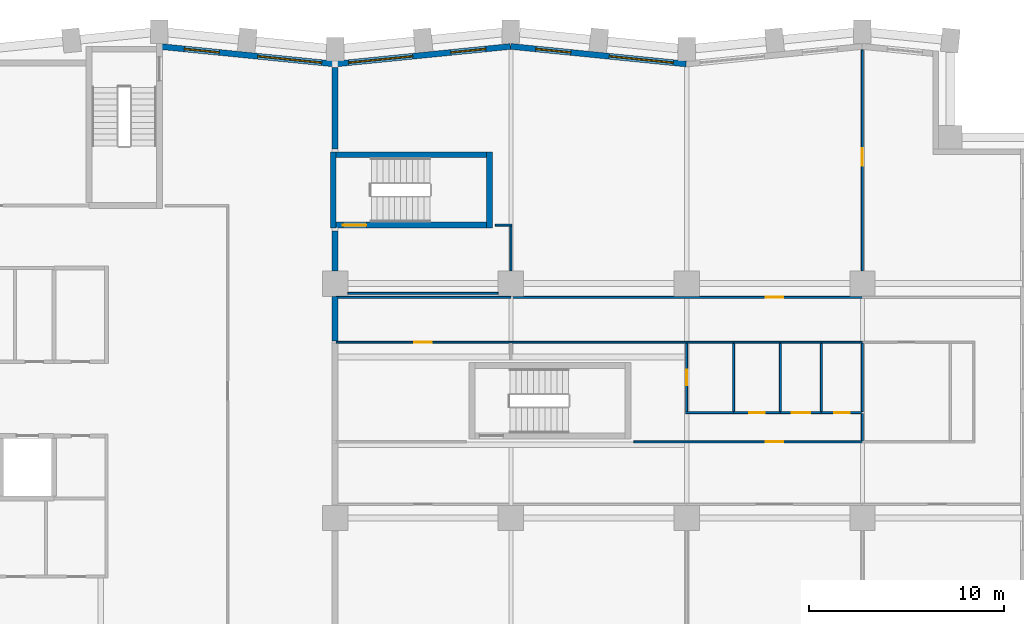
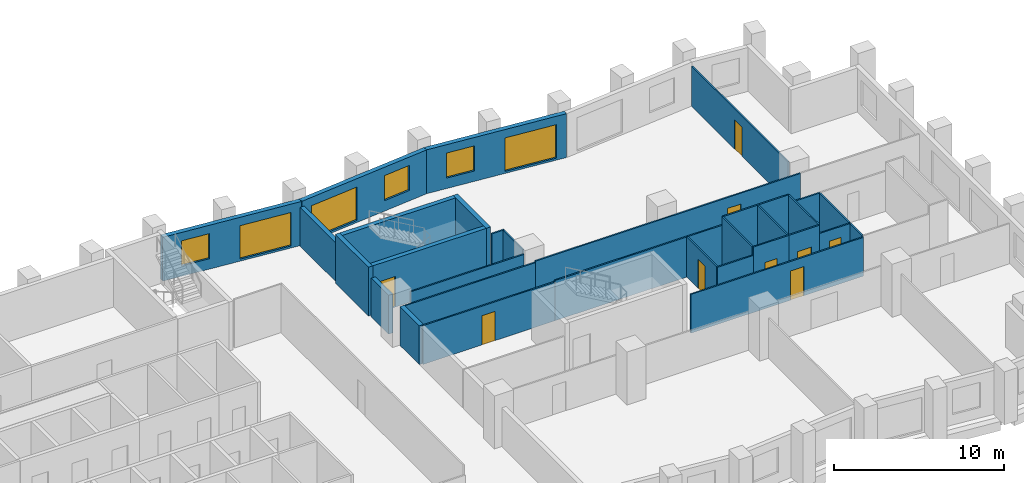
# One storey, part 7 of 11: 33 walls, 9 doors, 6 windows, 15 openings.
"""IFC4 building model written with IfcOpenShell, lengths in metres."""

from ifc_helpers import new_model, si_unit, direction, frame, frame_2d, origin, place, context, subcontext, project, spatial, rectangle, extrude, material, layer, layer_set, type_object, element, fill, save


model = new_model("IFC4")

# Units and contexts
model_context = context("Model", 3, precision=1e-05, world=origin(), true_north=direction((0.0, 1.0)))
body_context = subcontext(model_context, "Body", "Model", "MODEL_VIEW")
ifc_project = project(units=[si_unit("LENGTHUNIT", "METRE"), si_unit("AREAUNIT", "SQUARE_METRE"), si_unit("VOLUMEUNIT", "CUBIC_METRE"), si_unit("PLANEANGLEUNIT", "RADIAN"), si_unit("MASSUNIT", "GRAM", prefix="KILO")], contexts=[model_context])

# Site, building, storey
site_placement = place(None, origin())
site = spatial("IfcSite", under=ifc_project, at=site_placement, CompositionType="ELEMENT")
building_placement = place(site_placement, origin())
building = spatial("IfcBuilding", under=site, at=building_placement, Name="Brondeck Convention Tower", CompositionType="ELEMENT")
storey_placement = place(building_placement, frame((0.0, 0.0, 99.89990234375)))
storey = spatial("IfcBuildingStorey", under=building, at=storey_placement, Name="L23", CompositionType="ELEMENT", Elevation=99.89990234375)

# Walls
ifc_material_1 = material(Name="Concrete compartment wall C30/37", Category="concrete")
ifc_layer_1 = layer(ifc_material_1, 0.300048828125)
ifc_layer_set_1 = layer_set([ifc_layer_1], Name="Compartment wall 300")
wall_type_1 = type_object("IfcWallType", Name="Compartment wall 300", PredefinedType="PARTITIONING", material=ifc_layer_set_1)
wall_1_placement = place(storey_placement, frame((36.0, 48.050048828125, 0.0), z_axis=(0.0, 0.0, 1.0), x_axis=(0.0, 1.0, 0.0)))
element("IfcWall", 1, at=wall_1_placement, inside=storey, type_object=wall_type_1, Name="FLR-L23-W064", PredefinedType="PARTITIONING", context=body_context, shape_type="SweptSolid", body=[
    extrude(rectangle(XDim=2.280029296875, YDim=0.300048828125, at=frame_2d((1.14013671875, 0.0))), origin(), (0.0, 0.0, 1.0), 2.780029296875),
])
wall_2_placement = place(storey_placement, frame((36.0, 51.655029296875, 0.0), z_axis=(0.0, 0.0, 1.0), x_axis=(0.0, 1.0, 0.0)))
element("IfcWall", 2, at=wall_2_placement, inside=storey, type_object=wall_type_1, Name="FLR-L23-W069", PredefinedType="PARTITIONING", context=body_context, shape_type="SweptSolid", body=[
    extrude(rectangle(XDim=2.044921875, YDim=0.300048828125, at=frame_2d((1.0224609375, 0.0))), origin(), (0.0, 0.0, 1.0), 2.780029296875),
])
wall_3_placement = place(storey_placement, frame((36.0, 57.89990234375, 0.0), z_axis=(0.0, 0.0, 1.0), x_axis=(0.0, 1.0, 0.0)))
element("IfcWall", 3, at=wall_3_placement, inside=storey, type_object=wall_type_1, Name="FLR-L23-W074", PredefinedType="PARTITIONING", context=body_context, shape_type="SweptSolid", body=[
    extrude(rectangle(XDim=4.175537109375, YDim=0.300048828125, at=frame_2d((2.087890625, 0.0))), origin(), (0.0, 0.0, 1.0), 2.780029296875),
])

# Wall, openings, windows
ifc_material_2 = material(Name="Precast concrete C50/60 bronze finish", Category="concrete")
ifc_layer_2 = layer(ifc_material_2, 0.070068359375, Name="Bronze precast facing")
ifc_material_3 = material(Name="Mineral wool")
ifc_layer_3 = layer(ifc_material_3, 0.159912109375, Name="Insulation")
ifc_material_4 = material(Name="Concrete C35/45", Category="concrete")
ifc_layer_4 = layer(ifc_material_4, 0.070068359375, Name="Backing")
ifc_layer_set_2 = layer_set([ifc_layer_2, ifc_layer_3, ifc_layer_4], Name="External infill wall, precast concrete C50/60 bronze facing")
wall_type_2 = type_object("IfcWallType", Name="External infill wall, precast concrete C50/60 bronze facing", PredefinedType="SOLIDWALL", material=ifc_layer_set_2)
wall_4_placement = place(storey_placement, frame((44.985107421875, 63.147705078125, 0.0), z_axis=(0.0, 0.0, 1.0), x_axis=(0.995037993253, -0.099495688264, 0.0)))
wall_4 = element("IfcWall", 4, at=wall_4_placement, inside=storey, type_object=wall_type_2, Name="ENV-EW-L23-P0-A-N-11", PredefinedType="SOLIDWALL", context=body_context, shape_type="SweptSolid", body=[
    extrude(rectangle(XDim=9.030029296875, YDim=0.300048828125, at=frame_2d((4.51513671875, 0.0))), origin(), (0.0, 0.0, 1.0), 3.150146484375),
])
opening_1_placement = place(wall_4_placement, frame((1.30126953125, 0.0, 0.75)))
opening_1 = element("IfcOpeningElement", 5, at=opening_1_placement, cuts=wall_4, Name="Opening W10", PredefinedType="OPENING", context=body_context, shape_type="SweptSolid", body=[
    extrude(rectangle(XDim=1.800048828125, YDim=1.800048828125, at=frame_2d((0.89990234375, 0.89990234375))), frame((0.0, 0.159912109375, 0.0), z_axis=(0.0, -1.0, 0.0), x_axis=(1.0, 0.0, 0.0)), (0.0, 0.0, 1.0), 0.320068359375),
])
opening_2_placement = place(wall_4_placement, frame((5.073486328125, 0.0, 0.14990234375)))
opening_2 = element("IfcOpeningElement", 6, at=opening_2_placement, cuts=wall_4, Name="Opening W9", PredefinedType="OPENING", context=body_context, shape_type="SweptSolid", body=[
    extrude(rectangle(XDim=3.300048828125, YDim=2.39990234375, at=frame_2d((1.64990234375, 1.199951171875))), frame((0.0, 0.159912109375, 0.0), z_axis=(0.0, -1.0, 0.0), x_axis=(1.0, 0.0, 0.0)), (0.0, 0.0, 1.0), 0.320068359375),
])
ifc_material_5 = material(Name="Bronze tinted double glazing", Category="glass")
window_type_1 = type_object("IfcWindowType", Name="Glazed flute window, bronze tinted", PartitioningType="SINGLE_PANEL", PredefinedType="WINDOW", material=ifc_material_5)
window_1_placement = place(opening_2_placement, origin())
window_1 = element("IfcWindow", 7, at=window_1_placement, inside=storey, type_object=window_type_1, Name="ENV-WN-L23-P0-A-N-11", OverallHeight=2.39990234375, OverallWidth=3.300048828125, PartitioningType="SINGLE_PANEL", PredefinedType="WINDOW", context=body_context, shape_type="SweptSolid", body=[
    extrude(rectangle(XDim=3.300048828125, YDim=2.39990234375, at=frame_2d((1.64990234375, 1.199951171875))), frame((0.0, 0.030029296875, 0.0), z_axis=(0.0, -1.0, 0.0), x_axis=(1.0, 0.0, 0.0)), (0.0, 0.0, 1.0), 0.06005859375),
])
fill(opening_2, window_1)
window_type_2 = type_object("IfcWindowType", Name="Punched window, bronze tinted", PartitioningType="SINGLE_PANEL", PredefinedType="WINDOW", material=ifc_material_5)
window_2_placement = place(opening_1_placement, origin())
window_2 = element("IfcWindow", 8, at=window_2_placement, inside=storey, type_object=window_type_2, Name="ENV-WN-L23-P0-A-N-10", OverallHeight=1.800048828125, OverallWidth=1.800048828125, PartitioningType="SINGLE_PANEL", PredefinedType="WINDOW", context=body_context, shape_type="SweptSolid", body=[
    extrude(rectangle(XDim=1.800048828125, YDim=1.800048828125, at=frame_2d((0.89990234375, 0.89990234375))), frame((0.0, 0.030029296875, 0.0), z_axis=(0.0, -1.0, 0.0), x_axis=(1.0, 0.0, 0.0)), (0.0, 0.0, 1.0), 0.06005859375),
])
fill(opening_1, window_2)

wall_5_placement = place(storey_placement, frame((35.985107421875, 62.244873046875, 0.0), z_axis=(0.0, 0.0, 1.0), x_axis=(0.995037993253, 0.099495688264, 0.0)))
wall_5 = element("IfcWall", 9, at=wall_5_placement, inside=storey, type_object=wall_type_2, Name="ENV-EW-L23-P0-A-N-09", PredefinedType="SOLIDWALL", context=body_context, shape_type="SweptSolid", body=[
    extrude(rectangle(XDim=9.030029296875, YDim=0.300048828125, at=frame_2d((4.51513671875, 0.0))), origin(), (0.0, 0.0, 1.0), 3.150146484375),
])
opening_3_placement = place(wall_5_placement, frame((0.701171875, 0.0, 0.14990234375)))
opening_3 = element("IfcOpeningElement", 10, at=opening_3_placement, cuts=wall_5, Name="Opening W9", PredefinedType="OPENING", context=body_context, shape_type="SweptSolid", body=[
    extrude(rectangle(XDim=3.300048828125, YDim=2.39990234375, at=frame_2d((1.64990234375, 1.199951171875))), frame((0.0, 0.159912109375, 0.0), z_axis=(0.0, -1.0, 0.0), x_axis=(1.0, 0.0, 0.0)), (0.0, 0.0, 1.0), 0.320068359375),
])
opening_4_placement = place(wall_5_placement, frame((5.9736328125, 0.0, 0.75)))
opening_4 = element("IfcOpeningElement", 11, at=opening_4_placement, cuts=wall_5, Name="Opening W10", PredefinedType="OPENING", context=body_context, shape_type="SweptSolid", body=[
    extrude(rectangle(XDim=1.800048828125, YDim=1.800048828125, at=frame_2d((0.89990234375, 0.89990234375))), frame((0.0, 0.159912109375, 0.0), z_axis=(0.0, -1.0, 0.0), x_axis=(1.0, 0.0, 0.0)), (0.0, 0.0, 1.0), 0.320068359375),
])
window_3_placement = place(opening_3_placement, origin())
window_3 = element("IfcWindow", 12, at=window_3_placement, inside=storey, type_object=window_type_1, Name="ENV-WN-L23-P0-A-N-08", OverallHeight=2.39990234375, OverallWidth=3.300048828125, PartitioningType="SINGLE_PANEL", PredefinedType="WINDOW", context=body_context, shape_type="SweptSolid", body=[
    extrude(rectangle(XDim=3.300048828125, YDim=2.39990234375, at=frame_2d((1.64990234375, 1.199951171875))), frame((0.0, 0.030029296875, 0.0), z_axis=(0.0, -1.0, 0.0), x_axis=(1.0, 0.0, 0.0)), (0.0, 0.0, 1.0), 0.06005859375),
])
fill(opening_3, window_3)
window_4_placement = place(opening_4_placement, origin())
window_4 = element("IfcWindow", 13, at=window_4_placement, inside=storey, type_object=window_type_2, Name="ENV-WN-L23-P0-A-N-09", OverallHeight=1.800048828125, OverallWidth=1.800048828125, PartitioningType="SINGLE_PANEL", PredefinedType="WINDOW", context=body_context, shape_type="SweptSolid", body=[
    extrude(rectangle(XDim=1.800048828125, YDim=1.800048828125, at=frame_2d((0.89990234375, 0.89990234375))), frame((0.0, 0.030029296875, 0.0), z_axis=(0.0, -1.0, 0.0), x_axis=(1.0, 0.0, 0.0)), (0.0, 0.0, 1.0), 0.06005859375),
])
fill(opening_4, window_4)

wall_6_placement = place(storey_placement, frame((27.07470703125, 63.138916015625, 0.0), z_axis=(0.0, 0.0, 1.0), x_axis=(0.995036108601, -0.099514534519, 0.0)))
wall_6 = element("IfcWall", 14, at=wall_6_placement, inside=storey, type_object=wall_type_2, Name="ENV-EW-L23-P0-A-N-07", PredefinedType="SOLIDWALL", context=body_context, shape_type="SweptSolid", body=[
    extrude(rectangle(XDim=8.93994140625, YDim=0.300048828125, at=frame_2d((4.469970703125, 0.0))), origin(), (0.0, 0.0, 1.0), 3.150146484375),
])
opening_5_placement = place(wall_6_placement, frame((1.211181640625, 0.0, 0.75)))
opening_5 = element("IfcOpeningElement", 15, at=opening_5_placement, cuts=wall_6, Name="Opening W10", PredefinedType="OPENING", context=body_context, shape_type="SweptSolid", body=[
    extrude(rectangle(XDim=1.800048828125, YDim=1.800048828125, at=frame_2d((0.89990234375, 0.89990234375))), frame((0.0, 0.159912109375, 0.0), z_axis=(0.0, -1.0, 0.0), x_axis=(1.0, 0.0, 0.0)), (0.0, 0.0, 1.0), 0.320068359375),
])
opening_6_placement = place(wall_6_placement, frame((4.983642578125, 0.0, 0.14990234375)))
opening_6 = element("IfcOpeningElement", 16, at=opening_6_placement, cuts=wall_6, Name="Opening W9", PredefinedType="OPENING", context=body_context, shape_type="SweptSolid", body=[
    extrude(rectangle(XDim=3.300048828125, YDim=2.39990234375, at=frame_2d((1.64990234375, 1.199951171875))), frame((0.0, 0.159912109375, 0.0), z_axis=(0.0, -1.0, 0.0), x_axis=(1.0, 0.0, 0.0)), (0.0, 0.0, 1.0), 0.320068359375),
])
window_5_placement = place(opening_6_placement, origin())
window_5 = element("IfcWindow", 17, at=window_5_placement, inside=storey, type_object=window_type_1, Name="ENV-WN-L23-P0-A-N-07", OverallHeight=2.39990234375, OverallWidth=3.300048828125, PartitioningType="SINGLE_PANEL", PredefinedType="WINDOW", context=body_context, shape_type="SweptSolid", body=[
    extrude(rectangle(XDim=3.300048828125, YDim=2.39990234375, at=frame_2d((1.64990234375, 1.199951171875))), frame((0.0, 0.030029296875, 0.0), z_axis=(0.0, -1.0, 0.0), x_axis=(1.0, 0.0, 0.0)), (0.0, 0.0, 1.0), 0.06005859375),
])
fill(opening_6, window_5)
window_6_placement = place(opening_5_placement, origin())
window_6 = element("IfcWindow", 18, at=window_6_placement, inside=storey, type_object=window_type_2, Name="ENV-WN-L23-P0-A-N-06", OverallHeight=1.800048828125, OverallWidth=1.800048828125, PartitioningType="SINGLE_PANEL", PredefinedType="WINDOW", context=body_context, shape_type="SweptSolid", body=[
    extrude(rectangle(XDim=1.800048828125, YDim=1.800048828125, at=frame_2d((0.89990234375, 0.89990234375))), frame((0.0, 0.030029296875, 0.0), z_axis=(0.0, -1.0, 0.0), x_axis=(1.0, 0.0, 0.0)), (0.0, 0.0, 1.0), 0.06005859375),
])
fill(opening_5, window_6)

# Wall, opening, door
ifc_material_6 = material(Name="Gypsum board partition on steel studs", Category="steel")
ifc_layer_5 = layer(ifc_material_6, 0.10009765625)
ifc_layer_set_3 = layer_set([ifc_layer_5], Name="Room partition 100")
wall_type_3 = type_object("IfcWallType", Name="Room partition 100", PredefinedType="PARTITIONING", material=ifc_layer_set_3)
wall_7_placement = place(storey_placement, frame((51.300048828125, 42.89990234375, 0.0), z_axis=(0.0, 0.0, 1.0), x_axis=(1.0, 0.0, 0.0)))
wall_7 = element("IfcWall", 19, at=wall_7_placement, inside=storey, type_object=wall_type_3, Name="FLR-L23-W039", PredefinedType="PARTITIONING", context=body_context, shape_type="SweptSolid", body=[
    extrude(rectangle(XDim=11.699951171875, YDim=0.10009765625, at=frame_2d((5.85009765625, 0.0))), origin(), (0.0, 0.0, 1.0), 2.780029296875),
])
opening_7_placement = place(wall_7_placement, frame((6.75, 0.0, 0.0)))
opening_7 = element("IfcOpeningElement", 20, at=opening_7_placement, cuts=wall_7, Name="Opening OF-B-003", PredefinedType="OPENING", context=body_context, shape_type="SweptSolid", body=[
    extrude(rectangle(XDim=0.89990234375, YDim=2.10009765625, at=frame_2d((0.449951171875, 1.050048828125))), frame((0.0, 0.06005859375, 0.0), z_axis=(0.0, -1.0, 0.0), x_axis=(1.0, 0.0, 0.0)), (0.0, 0.0, 1.0), 0.1201171875),
])
ifc_material_7 = material(Name="Solid timber door leaf", Category="wood")
door_type_1 = type_object("IfcDoorType", Name="Single door 900", OperationType="NOTDEFINED", PredefinedType="DOOR", material=ifc_material_7)
door_1_placement = place(opening_7_placement, origin())
door_1 = element("IfcDoor", 21, at=door_1_placement, inside=storey, type_object=door_type_1, Name="Door OF-B-003", OperationType="SINGLE_SWING_LEFT", OverallHeight=2.10009765625, OverallWidth=0.89990234375, PredefinedType="DOOR", context=body_context, shape_type="SweptSolid", body=[
    extrude(rectangle(XDim=0.89990234375, YDim=2.10009765625, at=frame_2d((0.449951171875, 1.050048828125))), frame((0.0, 0.02490234375, 0.0), z_axis=(0.0, -1.0, 0.0), x_axis=(1.0, 0.0, 0.0)), (0.0, 0.0, 1.0), 0.050048828125),
])
fill(opening_7, door_1)

# Walls
wall_8_placement = place(storey_placement, frame((63.0, 44.35009765625, 0.0), z_axis=(0.0, 0.0, 1.0), x_axis=(0.0, -1.0, 0.0)))
element("IfcWall", 22, at=wall_8_placement, inside=storey, type_object=wall_type_3, Name="FLR-L23-W044", PredefinedType="PARTITIONING", context=body_context, shape_type="SweptSolid", body=[
    extrude(rectangle(XDim=1.400146484375, YDim=0.10009765625, at=frame_2d((0.7001953125, 0.0))), origin(), (0.0, 0.0, 1.0), 2.880126953125),
])
wall_9_placement = place(storey_placement, frame((53.949951171875, 44.39990234375, 0.0), z_axis=(0.0, 0.0, 1.0), x_axis=(1.0, 0.0, 0.0)))
element("IfcWall", 23, at=wall_9_placement, inside=storey, type_object=wall_type_3, Name="FLR-L23-W045", PredefinedType="PARTITIONING", context=body_context, shape_type="SweptSolid", body=[
    extrude(rectangle(XDim=2.449951171875, YDim=0.10009765625, at=frame_2d((1.22509765625, 0.0))), origin(), (0.0, 0.0, 1.0), 2.880126953125),
])

# Wall, opening, door
wall_10_placement = place(storey_placement, frame((56.39990234375, 44.39990234375, 0.0), z_axis=(0.0, 0.0, 1.0), x_axis=(1.0, 0.0, 0.0)))
wall_10 = element("IfcWall", 24, at=wall_10_placement, inside=storey, type_object=wall_type_3, Name="FLR-L23-W046", PredefinedType="PARTITIONING", context=body_context, shape_type="SweptSolid", body=[
    extrude(rectangle(XDim=2.400146484375, YDim=0.10009765625, at=frame_2d((1.2001953125, 0.0))), origin(), (0.0, 0.0, 1.0), 3.47998046875),
])
opening_8_placement = place(wall_10_placement, frame((0.800048828125, 0.0, 0.0)))
opening_8 = element("IfcOpeningElement", 25, at=opening_8_placement, cuts=wall_10, Name="Opening OF-B-005", PredefinedType="OPENING", context=body_context, shape_type="SweptSolid", body=[
    extrude(rectangle(XDim=0.800048828125, YDim=2.10009765625, at=frame_2d((0.39990234375, 1.050048828125))), frame((0.0, 0.06005859375, 0.0), z_axis=(0.0, -1.0, 0.0), x_axis=(1.0, 0.0, 0.0)), (0.0, 0.0, 1.0), 0.1201171875),
])
door_type_2 = type_object("IfcDoorType", Name="En-suite door 800", OperationType="NOTDEFINED", PredefinedType="DOOR", material=ifc_material_7)
door_2_placement = place(opening_8_placement, origin())
door_2 = element("IfcDoor", 26, at=door_2_placement, inside=storey, type_object=door_type_2, Name="Door OF-B-005", OperationType="SINGLE_SWING_RIGHT", OverallHeight=2.10009765625, OverallWidth=0.800048828125, PredefinedType="DOOR", context=body_context, shape_type="SweptSolid", body=[
    extrude(rectangle(XDim=0.800048828125, YDim=2.10009765625, at=frame_2d((0.39990234375, 1.050048828125))), frame((0.0, 0.02490234375, 0.0), z_axis=(0.0, -1.0, 0.0), x_axis=(1.0, 0.0, 0.0)), (0.0, 0.0, 1.0), 0.050048828125),
])
fill(opening_8, door_2)

wall_11_placement = place(storey_placement, frame((58.800048828125, 44.39990234375, 0.0), z_axis=(0.0, 0.0, 1.0), x_axis=(1.0, 0.0, 0.0)))
wall_11 = element("IfcWall", 27, at=wall_11_placement, inside=storey, type_object=wall_type_3, Name="FLR-L23-W047", PredefinedType="PARTITIONING", context=body_context, shape_type="SweptSolid", body=[
    extrude(rectangle(XDim=2.099853515625, YDim=0.10009765625, at=frame_2d((1.0498046875, 0.0))), origin(), (0.0, 0.0, 1.0), 3.47998046875),
])
opening_9_placement = place(wall_11_placement, frame((0.574951171875, 0.0, 0.0)))
opening_9 = element("IfcOpeningElement", 28, at=opening_9_placement, cuts=wall_11, Name="Opening OF-B-006", PredefinedType="OPENING", context=body_context, shape_type="SweptSolid", body=[
    extrude(rectangle(XDim=0.949951171875, YDim=2.10009765625, at=frame_2d((0.47509765625, 1.050048828125))), frame((0.0, 0.06005859375, 0.0), z_axis=(0.0, -1.0, 0.0), x_axis=(1.0, 0.0, 0.0)), (0.0, 0.0, 1.0), 0.1201171875),
])
door_type_3 = type_object("IfcDoorType", Name="Accessible door 950", OperationType="NOTDEFINED", PredefinedType="DOOR", material=ifc_material_7)
door_3_placement = place(opening_9_placement, origin())
door_3 = element("IfcDoor", 29, at=door_3_placement, inside=storey, type_object=door_type_3, Name="Door OF-B-006", OperationType="SINGLE_SWING_LEFT", OverallHeight=2.10009765625, OverallWidth=0.949951171875, PredefinedType="DOOR", context=body_context, shape_type="SweptSolid", body=[
    extrude(rectangle(XDim=0.949951171875, YDim=2.10009765625, at=frame_2d((0.47509765625, 1.050048828125))), frame((0.0, 0.02490234375, 0.0), z_axis=(0.0, -1.0, 0.0), x_axis=(1.0, 0.0, 0.0)), (0.0, 0.0, 1.0), 0.050048828125),
])
fill(opening_9, door_3)

wall_12_placement = place(storey_placement, frame((60.89990234375, 44.39990234375, 0.0), z_axis=(0.0, 0.0, 1.0), x_axis=(1.0, 0.0, 0.0)))
wall_12 = element("IfcWall", 30, at=wall_12_placement, inside=storey, type_object=wall_type_3, Name="FLR-L23-W048", PredefinedType="PARTITIONING", context=body_context, shape_type="SweptSolid", body=[
    extrude(rectangle(XDim=2.050048828125, YDim=0.10009765625, at=frame_2d((1.02490234375, 0.0))), origin(), (0.0, 0.0, 1.0), 2.880126953125),
])
opening_10_placement = place(wall_12_placement, frame((0.64990234375, 0.0, 0.0)))
opening_10 = element("IfcOpeningElement", 31, at=opening_10_placement, cuts=wall_12, Name="Opening OF-B-007", PredefinedType="OPENING", context=body_context, shape_type="SweptSolid", body=[
    extrude(rectangle(XDim=0.800048828125, YDim=2.10009765625, at=frame_2d((0.39990234375, 1.050048828125))), frame((0.0, 0.06005859375, 0.0), z_axis=(0.0, -1.0, 0.0), x_axis=(1.0, 0.0, 0.0)), (0.0, 0.0, 1.0), 0.1201171875),
])
ifc_material_8 = material(Name="Steel service door leaf", Category="steel")
door_type_4 = type_object("IfcDoorType", Name="Service door 800", OperationType="NOTDEFINED", PredefinedType="DOOR", material=ifc_material_8)
door_4_placement = place(opening_10_placement, origin())
door_4 = element("IfcDoor", 32, at=door_4_placement, inside=storey, type_object=door_type_4, Name="Door OF-B-007", OperationType="SINGLE_SWING_RIGHT", OverallHeight=2.10009765625, OverallWidth=0.800048828125, PredefinedType="DOOR", context=body_context, shape_type="SweptSolid", body=[
    extrude(rectangle(XDim=0.800048828125, YDim=2.10009765625, at=frame_2d((0.39990234375, 1.050048828125))), frame((0.0, 0.02490234375, 0.0), z_axis=(0.0, -1.0, 0.0), x_axis=(1.0, 0.0, 0.0)), (0.0, 0.0, 1.0), 0.050048828125),
])
fill(opening_10, door_4)

wall_13_placement = place(storey_placement, frame((54.0, 47.949951171875, 0.0), z_axis=(0.0, 0.0, 1.0), x_axis=(0.0, -1.0, 0.0)))
wall_13 = element("IfcWall", 33, at=wall_13_placement, inside=storey, type_object=wall_type_3, Name="FLR-L23-W050", PredefinedType="PARTITIONING", context=body_context, shape_type="SweptSolid", body=[
    extrude(rectangle(XDim=3.5, YDim=0.10009765625, at=frame_2d((1.75, 0.0))), origin(), (0.0, 0.0, 1.0), 2.880126953125),
])
opening_11_placement = place(wall_13_placement, frame((1.35009765625, 0.0, 0.0)))
opening_11 = element("IfcOpeningElement", 34, at=opening_11_placement, cuts=wall_13, Name="Opening OF-B-004", PredefinedType="OPENING", context=body_context, shape_type="SweptSolid", body=[
    extrude(rectangle(XDim=0.800048828125, YDim=2.10009765625, at=frame_2d((0.39990234375, 1.050048828125))), frame((0.0, 0.06005859375, 0.0), z_axis=(0.0, -1.0, 0.0), x_axis=(1.0, 0.0, 0.0)), (0.0, 0.0, 1.0), 0.1201171875),
])
door_5_placement = place(opening_11_placement, origin())
door_5 = element("IfcDoor", 35, at=door_5_placement, inside=storey, type_object=door_type_2, Name="Door OF-B-004", OperationType="SINGLE_SWING_LEFT", OverallHeight=2.10009765625, OverallWidth=0.800048828125, PredefinedType="DOOR", context=body_context, shape_type="SweptSolid", body=[
    extrude(rectangle(XDim=0.800048828125, YDim=2.10009765625, at=frame_2d((0.39990234375, 1.050048828125))), frame((0.0, 0.02490234375, 0.0), z_axis=(0.0, -1.0, 0.0), x_axis=(1.0, 0.0, 0.0)), (0.0, 0.0, 1.0), 0.050048828125),
])
fill(opening_11, door_5)

# Walls
for number, where, z_axis, x_axis, name in (
    (36, (56.39990234375, 47.949951171875, 0.0), (0.0, 0.0, 1.0), (0.0, -1.0, 0.0), "FLR-L23-W051"),
    (37, (58.800048828125, 47.949951171875, 0.0), (0.0, 0.0, 1.0), (0.0, -1.0, 0.0), "FLR-L23-W052"),
    (38, (60.89990234375, 47.949951171875, 0.0), (0.0, 0.0, 1.0), (0.0, -1.0, 0.0), "FLR-L23-W053"),
):
    element("IfcWall", number, at=place(storey_placement, frame(where, z_axis=z_axis, x_axis=x_axis)), inside=storey, type_object=wall_type_3, Name=name, PredefinedType="PARTITIONING", context=body_context, shape_type="SweptSolid", body=[
        extrude(rectangle(XDim=3.5, YDim=0.10009765625, at=frame_2d((1.75, 0.0))), origin(), (0.0, 0.0, 1.0), 3.47998046875),
    ])
wall_14_placement = place(storey_placement, frame((63.0, 47.949951171875, 0.0), z_axis=(0.0, 0.0, 1.0), x_axis=(0.0, -1.0, 0.0)))
element("IfcWall", 39, at=wall_14_placement, inside=storey, type_object=wall_type_3, Name="FLR-L23-W054", PredefinedType="PARTITIONING", context=body_context, shape_type="SweptSolid", body=[
    extrude(rectangle(XDim=3.5, YDim=0.10009765625, at=frame_2d((1.75, 0.0))), origin(), (0.0, 0.0, 1.0), 2.880126953125),
])

# Wall, opening, door
wall_15_placement = place(storey_placement, frame((45.0, 48.0, 0.0), z_axis=(0.0, 0.0, 1.0), x_axis=(-1.0, 0.0, 0.0)))
wall_15 = element("IfcWall", 40, at=wall_15_placement, inside=storey, type_object=wall_type_3, Name="FLR-L23-W056", PredefinedType="PARTITIONING", context=body_context, shape_type="SweptSolid", body=[
    extrude(rectangle(XDim=8.949951171875, YDim=0.10009765625, at=frame_2d((4.47509765625, 0.0))), origin(), (0.0, 0.0, 1.0), 2.780029296875),
])
opening_12_placement = place(wall_15_placement, frame((4.050048828125, 0.0, 0.0)))
opening_12 = element("IfcOpeningElement", 41, at=opening_12_placement, cuts=wall_15, Name="Opening OF-B-002", PredefinedType="OPENING", context=body_context, shape_type="SweptSolid", body=[
    extrude(rectangle(XDim=0.89990234375, YDim=2.10009765625, at=frame_2d((0.449951171875, 1.050048828125))), frame((0.0, 0.06005859375, 0.0), z_axis=(0.0, -1.0, 0.0), x_axis=(1.0, 0.0, 0.0)), (0.0, 0.0, 1.0), 0.1201171875),
])
door_6_placement = place(opening_12_placement, origin())
door_6 = element("IfcDoor", 42, at=door_6_placement, inside=storey, type_object=door_type_1, Name="Door OF-B-002", OperationType="SINGLE_SWING_RIGHT", OverallHeight=2.10009765625, OverallWidth=0.89990234375, PredefinedType="DOOR", context=body_context, shape_type="SweptSolid", body=[
    extrude(rectangle(XDim=0.89990234375, YDim=2.10009765625, at=frame_2d((0.449951171875, 1.050048828125))), frame((0.0, 0.02490234375, 0.0), z_axis=(0.0, -1.0, 0.0), x_axis=(1.0, 0.0, 0.0)), (0.0, 0.0, 1.0), 0.050048828125),
])
fill(opening_12, door_6)

# Walls
wall_16_placement = place(storey_placement, frame((54.0, 48.0, 0.0), z_axis=(0.0, 0.0, 1.0), x_axis=(-1.0, 0.0, 0.0)))
element("IfcWall", 43, at=wall_16_placement, inside=storey, type_object=wall_type_3, Name="FLR-L23-W057", PredefinedType="PARTITIONING", context=body_context, shape_type="SweptSolid", body=[
    extrude(rectangle(XDim=9.0, YDim=0.10009765625, at=frame_2d((4.5, 0.0))), origin(), (0.0, 0.0, 1.0), 2.880126953125),
])
wall_17_placement = place(storey_placement, frame((56.39990234375, 48.0, 0.0), z_axis=(0.0, 0.0, 1.0), x_axis=(-1.0, 0.0, 0.0)))
element("IfcWall", 44, at=wall_17_placement, inside=storey, type_object=wall_type_3, Name="FLR-L23-W058", PredefinedType="PARTITIONING", context=body_context, shape_type="SweptSolid", body=[
    extrude(rectangle(XDim=2.39990234375, YDim=0.10009765625, at=frame_2d((1.199951171875, 0.0))), origin(), (0.0, 0.0, 1.0), 2.880126953125),
])
wall_18_placement = place(storey_placement, frame((58.800048828125, 48.0, 0.0), z_axis=(0.0, 0.0, 1.0), x_axis=(-1.0, 0.0, 0.0)))
element("IfcWall", 45, at=wall_18_placement, inside=storey, type_object=wall_type_3, Name="FLR-L23-W059", PredefinedType="PARTITIONING", context=body_context, shape_type="SweptSolid", body=[
    extrude(rectangle(XDim=2.400146484375, YDim=0.10009765625, at=frame_2d((1.2001953125, 0.0))), origin(), (0.0, 0.0, 1.0), 3.47998046875),
])
wall_19_placement = place(storey_placement, frame((60.89990234375, 48.0, 0.0), z_axis=(0.0, 0.0, 1.0), x_axis=(-1.0, 0.0, 0.0)))
element("IfcWall", 46, at=wall_19_placement, inside=storey, type_object=wall_type_3, Name="FLR-L23-W060", PredefinedType="PARTITIONING", context=body_context, shape_type="SweptSolid", body=[
    extrude(rectangle(XDim=2.099853515625, YDim=0.10009765625, at=frame_2d((1.0498046875, 0.0))), origin(), (0.0, 0.0, 1.0), 3.47998046875),
])
wall_20_placement = place(storey_placement, frame((63.0, 48.0, 0.0), z_axis=(0.0, 0.0, 1.0), x_axis=(-1.0, 0.0, 0.0)))
element("IfcWall", 47, at=wall_20_placement, inside=storey, type_object=wall_type_3, Name="FLR-L23-W061", PredefinedType="PARTITIONING", context=body_context, shape_type="SweptSolid", body=[
    extrude(rectangle(XDim=2.10009765625, YDim=0.10009765625, at=frame_2d((1.050048828125, 0.0))), origin(), (0.0, 0.0, 1.0), 2.880126953125),
])
wall_21_placement = place(storey_placement, frame((36.050048828125, 50.300048828125, 0.0), z_axis=(0.0, 0.0, 1.0), x_axis=(1.0, 0.0, 0.0)))
element("IfcWall", 48, at=wall_21_placement, inside=storey, type_object=wall_type_3, Name="FLR-L23-W065", PredefinedType="PARTITIONING", context=body_context, shape_type="SweptSolid", body=[
    extrude(rectangle(XDim=8.949951171875, YDim=0.10009765625, at=frame_2d((4.47509765625, 0.0))), origin(), (0.0, 0.0, 1.0), 2.780029296875),
])

# Wall, opening, door
wall_22_placement = place(storey_placement, frame((45.0, 50.300048828125, 0.0), z_axis=(0.0, 0.0, 1.0), x_axis=(1.0, 0.0, 0.0)))
wall_22 = element("IfcWall", 49, at=wall_22_placement, inside=storey, type_object=wall_type_3, Name="FLR-L23-W066", PredefinedType="PARTITIONING", context=body_context, shape_type="SweptSolid", body=[
    extrude(rectangle(XDim=18.0, YDim=0.10009765625, at=frame_2d((9.0, 0.0))), origin(), (0.0, 0.0, 1.0), 2.880126953125),
])
opening_13_placement = place(wall_22_placement, frame((13.050048828125, 0.0, 0.0)))
opening_13 = element("IfcOpeningElement", 50, at=opening_13_placement, cuts=wall_22, Name="Opening OF-B-012", PredefinedType="OPENING", context=body_context, shape_type="SweptSolid", body=[
    extrude(rectangle(XDim=0.89990234375, YDim=2.10009765625, at=frame_2d((0.449951171875, 1.050048828125))), frame((0.0, 0.06005859375, 0.0), z_axis=(0.0, -1.0, 0.0), x_axis=(1.0, 0.0, 0.0)), (0.0, 0.0, 1.0), 0.1201171875),
])
door_7_placement = place(opening_13_placement, origin())
door_7 = element("IfcDoor", 51, at=door_7_placement, inside=storey, type_object=door_type_1, Name="Door OF-B-012", OperationType="SINGLE_SWING_LEFT", OverallHeight=2.10009765625, OverallWidth=0.89990234375, PredefinedType="DOOR", context=body_context, shape_type="SweptSolid", body=[
    extrude(rectangle(XDim=0.89990234375, YDim=2.10009765625, at=frame_2d((0.449951171875, 1.050048828125))), frame((0.0, 0.02490234375, 0.0), z_axis=(0.0, -1.0, 0.0), x_axis=(1.0, 0.0, 0.0)), (0.0, 0.0, 1.0), 0.050048828125),
])
fill(opening_13, door_7)

# Walls
wall_23_placement = place(storey_placement, frame((44.344970703125, 50.5, 0.0), z_axis=(0.0, 0.0, 1.0), x_axis=(-1.0, 0.0, 0.0)))
element("IfcWall", 52, at=wall_23_placement, inside=storey, type_object=wall_type_3, Name="FLR-L23-W068", PredefinedType="PARTITIONING", context=body_context, shape_type="SweptSolid", body=[
    extrude(rectangle(XDim=7.68994140625, YDim=0.10009765625, at=frame_2d((3.844970703125, 0.0))), origin(), (0.0, 0.0, 1.0), 3.47998046875),
])
wall_24_placement = place(storey_placement, frame((45.0, 53.949951171875, 0.0), z_axis=(0.0, 0.0, 1.0), x_axis=(0.0, -1.0, 0.0)))
element("IfcWall", 53, at=wall_24_placement, inside=storey, type_object=wall_type_3, Name="FLR-L23-W070", PredefinedType="PARTITIONING", context=body_context, shape_type="SweptSolid", body=[
    extrude(rectangle(XDim=2.294921875, YDim=0.10009765625, at=frame_2d((1.1474609375, 0.0))), origin(), (0.0, 0.0, 1.0), 2.880126953125),
])
wall_25_placement = place(storey_placement, frame((44.199951171875, 54.0, 0.0), z_axis=(0.0, 0.0, 1.0), x_axis=(1.0, 0.0, 0.0)))
element("IfcWall", 54, at=wall_25_placement, inside=storey, type_object=wall_type_3, Name="FLR-L23-W071", PredefinedType="PARTITIONING", context=body_context, shape_type="SweptSolid", body=[
    extrude(rectangle(XDim=0.85009765625, YDim=0.10009765625, at=frame_2d((0.425048828125, 0.0))), origin(), (0.0, 0.0, 1.0), 2.880126953125),
])

# Wall, opening, door
wall_26_placement = place(storey_placement, frame((63.0, 62.9755859375, 0.0), z_axis=(0.0, 0.0, 1.0), x_axis=(0.0, -1.0, 0.0)))
wall_26 = element("IfcWall", 55, at=wall_26_placement, inside=storey, type_object=wall_type_3, Name="FLR-L23-W075", PredefinedType="PARTITIONING", context=body_context, shape_type="SweptSolid", body=[
    extrude(rectangle(XDim=11.320556640625, YDim=0.10009765625, at=frame_2d((5.66015625, 0.0))), origin(), (0.0, 0.0, 1.0), 2.880126953125),
])
opening_14_placement = place(wall_26_placement, frame((5.050537109375, 0.0, 0.0)))
opening_14 = element("IfcOpeningElement", 56, at=opening_14_placement, cuts=wall_26, Name="Opening OF-B-013", PredefinedType="OPENING", context=body_context, shape_type="SweptSolid", body=[
    extrude(rectangle(XDim=0.89990234375, YDim=2.10009765625, at=frame_2d((0.449951171875, 1.050048828125))), frame((0.0, 0.06005859375, 0.0), z_axis=(0.0, -1.0, 0.0), x_axis=(1.0, 0.0, 0.0)), (0.0, 0.0, 1.0), 0.1201171875),
])
door_8_placement = place(opening_14_placement, origin())
door_8 = element("IfcDoor", 57, at=door_8_placement, inside=storey, type_object=door_type_1, Name="Door OF-B-013", OperationType="SINGLE_SWING_LEFT", OverallHeight=2.10009765625, OverallWidth=0.89990234375, PredefinedType="DOOR", context=body_context, shape_type="SweptSolid", body=[
    extrude(rectangle(XDim=0.89990234375, YDim=2.10009765625, at=frame_2d((0.449951171875, 1.050048828125))), frame((0.0, 0.02490234375, 0.0), z_axis=(0.0, -1.0, 0.0), x_axis=(1.0, 0.0, 0.0)), (0.0, 0.0, 1.0), 0.050048828125),
])
fill(opening_14, door_8)

ifc_material_9 = material(Name="Concrete C70/85", Category="concrete")
ifc_layer_6 = layer(ifc_material_9, 0.300048828125)
ifc_layer_set_4 = layer_set([ifc_layer_6], Name="Stair enclosure wall 300 Concrete C70/85")
wall_type_4 = type_object("IfcWallType", Name="Stair enclosure wall 300 Concrete C70/85", PredefinedType="SHEAR", material=ifc_layer_set_4)
wall_27_placement = place(storey_placement, frame((36.050048828125, 54.0, 0.0), z_axis=(0.0, 0.0, 1.0), x_axis=(1.0, 0.0, 0.0)))
wall_27 = element("IfcWall", 58, at=wall_27_placement, inside=storey, type_object=wall_type_4, Name="L23 core wall", PredefinedType="SHEAR", context=body_context, shape_type="SweptSolid", body=[
    extrude(rectangle(XDim=7.699951171875, YDim=0.300048828125, at=frame_2d((3.85009765625, 0.0))), origin(), (0.0, 0.0, 1.0), 3.5),
])
opening_15_placement = place(wall_27_placement, frame((0.35009765625, 0.0, 0.0)))
opening_15 = element("IfcOpeningElement", 59, at=opening_15_placement, cuts=wall_27, Name="Opening C15-19", PredefinedType="OPENING", context=body_context, shape_type="SweptSolid", body=[
    extrude(rectangle(XDim=1.199951171875, YDim=2.199951171875, at=frame_2d((0.60009765625, 1.10009765625))), frame((0.0, 0.159912109375, 0.0), z_axis=(0.0, -1.0, 0.0), x_axis=(1.0, 0.0, 0.0)), (0.0, 0.0, 1.0), 0.320068359375),
])
ifc_material_10 = material(Name="Steel fire door", Category="steel")
door_type_5 = type_object("IfcDoorType", Name="Stair door 1200x2200 EI 90", OperationType="NOTDEFINED", PredefinedType="DOOR", material=ifc_material_10)
door_9_placement = place(opening_15_placement, origin())
door_9 = element("IfcDoor", 60, at=door_9_placement, inside=storey, type_object=door_type_5, Name="L23 Stair door ST-AE", OperationType="SINGLE_SWING_LEFT", OverallHeight=2.199951171875, OverallWidth=1.199951171875, PredefinedType="DOOR", context=body_context, shape_type="SweptSolid", body=[
    extrude(rectangle(XDim=1.199951171875, YDim=2.199951171875, at=frame_2d((0.60009765625, 1.10009765625))), frame((0.0, 0.02490234375, 0.0), z_axis=(0.0, -1.0, 0.0), x_axis=(1.0, 0.0, 0.0)), (0.0, 0.0, 1.0), 0.050048828125),
])
fill(opening_15, door_9)

# Walls
wall_28_placement = place(storey_placement, frame((36.050048828125, 57.60009765625, 0.0), z_axis=(0.0, 0.0, 1.0), x_axis=(1.0, 0.0, 0.0)))
element("IfcWall", 61, at=wall_28_placement, inside=storey, type_object=wall_type_4, Name="L23 core wall", PredefinedType="SHEAR", context=body_context, shape_type="SweptSolid", body=[
    extrude(rectangle(XDim=7.699951171875, YDim=0.300048828125, at=frame_2d((3.85009765625, 0.0))), origin(), (0.0, 0.0, 1.0), 3.5),
])
for number, where, z_axis, x_axis, name in (
    (62, (35.89990234375, 53.85009765625, 0.0), (0.0, 0.0, 1.0), (0.0, 1.0, 0.0), "L23 core wall"),
    (63, (43.89990234375, 53.85009765625, 0.0), (0.0, 0.0, 1.0), (0.0, 1.0, 0.0), "L23 core wall"),
):
    element("IfcWall", number, at=place(storey_placement, frame(where, z_axis=z_axis, x_axis=x_axis)), inside=storey, type_object=wall_type_4, Name=name, PredefinedType="SHEAR", context=body_context, shape_type="SweptSolid", body=[
        extrude(rectangle(XDim=3.89990234375, YDim=0.300048828125, at=frame_2d((1.949951171875, 0.0))), origin(), (0.0, 0.0, 1.0), 3.5),
    ])

save(model, "model.ifc")
